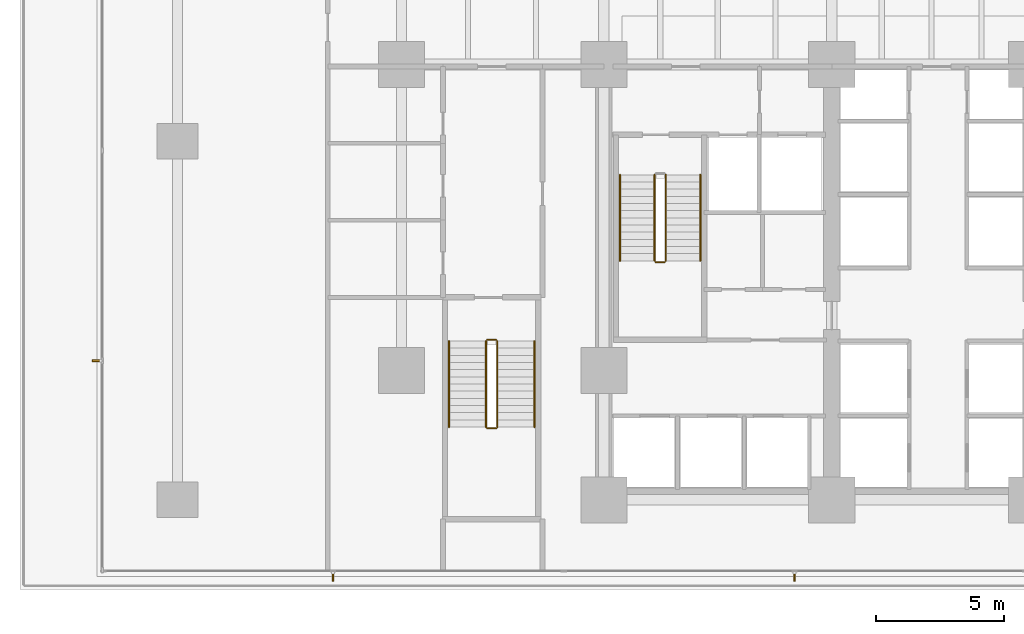
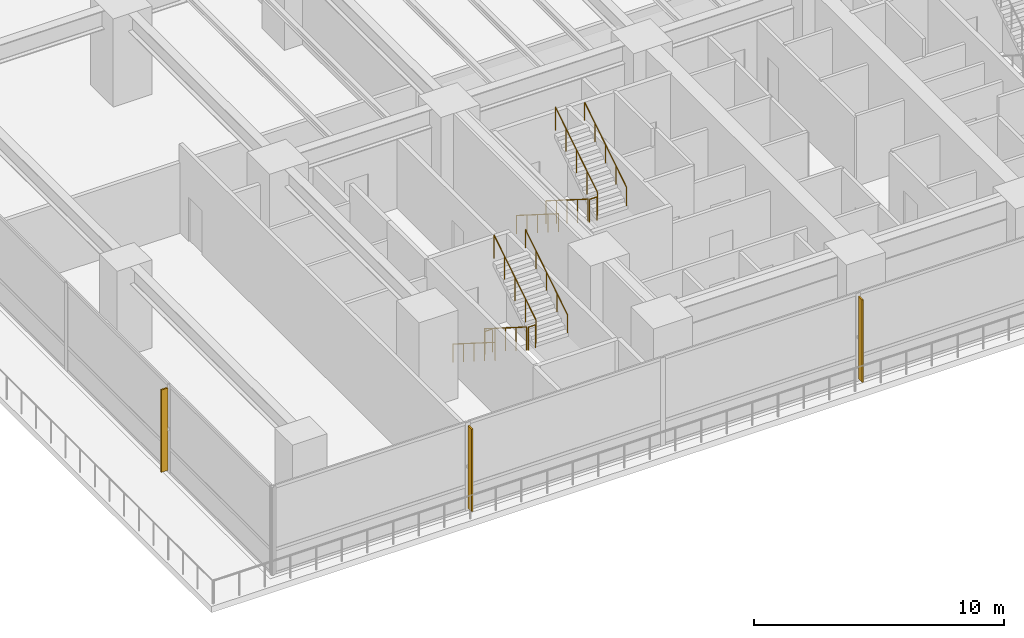
# One storey, part 19 of 28: 11 railings, 3 shading devices.
"""IFC4 building model written with IfcOpenShell, lengths in metres."""

import ifcopenshell
import ifcopenshell.guid

model = None  # the IFC model being written
_history = None  # IfcOwnerHistory: only IFC2X3 demands one
_inside = {}  # id of a spatial element -> (the spatial element, [elements in it])
_under = {}  # id of a project, library or spatial element -> (it, [spatial elements below it])
_declared = {}  # id of a project -> (the project, [libraries it declares])
_typed = {}  # id of a type object -> (the type object, [elements of that type])
_made_of = {}  # id of a material, layer set ... -> (it, [elements and type objects made of it])


def new_model(schema):
    """Start an empty IFC model of exactly this schema.

    Asked for "IFC4X3", IfcOpenShell would pick the latest addendum, in which some entities
    have other attributes; the version numbers below select the first issue.
    IFC2X3 requires an IfcOwnerHistory on every rooted entity: one is made here for all.
    """
    global model, _history
    if schema == "IFC4X3":
        model = ifcopenshell.file(schema_version=(4, 3, 0, 0))
    else:
        model = ifcopenshell.file(schema=schema)
    _inside.clear()
    _under.clear()
    _declared.clear()
    _typed.clear()
    _made_of.clear()
    _history = None
    if model.schema == "IFC2X3":
        org = make("IfcOrganization", Name="unknown")
        user = make(
            "IfcPersonAndOrganization",
            ThePerson=make("IfcPerson", FamilyName="unknown"),
            TheOrganization=org,
        )
        app = make(
            "IfcApplication",
            ApplicationDeveloper=org,
            Version="unknown",
            ApplicationFullName="unknown",
            ApplicationIdentifier="unknown",
        )
        _history = make(
            "IfcOwnerHistory",
            OwningUser=user,
            OwningApplication=app,
            ChangeAction="ADDED",
            CreationDate=0,
        )
    return model


def make(cls, **values):
    """One entity of the class cls with the attributes given. An attribute that is None is left unset."""
    return model.create_entity(
        cls, **{name: value for name, value in values.items() if value is not None}
    )


def rooted(cls, **values):
    """An entity with a GlobalId (a new one), such as an element, a storey or a relation."""
    return make(cls, GlobalId=ifcopenshell.guid.new(), OwnerHistory=_history, **values)


def si_unit(unit_type, name, prefix=None):
    """IfcSIUnit, for example si_unit("LENGTHUNIT", "METRE", prefix="MILLI")."""
    return make("IfcSIUnit", UnitType=unit_type, Prefix=prefix, Name=name)


def assignment(units):
    """IfcUnitAssignment: the units of a project."""
    return None if units is None else make("IfcUnitAssignment", Units=units)


def point(xyz):
    """IfcCartesianPoint."""
    return None if xyz is None else make("IfcCartesianPoint", Coordinates=xyz)


def direction(xyz):
    """IfcDirection."""
    return None if xyz is None else make("IfcDirection", DirectionRatios=xyz)


def frame(location, z_axis=None, x_axis=None):
    """IfcAxis2Placement3D, a coordinate frame: its origin and axes. An axis left out is left unset."""
    return make(
        "IfcAxis2Placement3D",
        Location=point(location),
        Axis=direction(z_axis),
        RefDirection=direction(x_axis),
    )


def frame_2d(location, x_axis=None):
    """IfcAxis2Placement2D, a coordinate frame in the plane: its origin and x axis."""
    return make(
        "IfcAxis2Placement2D", Location=point(location), RefDirection=direction(x_axis)
    )


def origin():
    """The frame at (0, 0, 0) with its axes left unset."""
    return frame((0.0, 0.0, 0.0))


def origin_2d():
    """The frame at (0, 0) in the plane with its x axis left unset."""
    return frame_2d((0.0, 0.0))


def place(relative_to, where):
    """IfcLocalPlacement: puts the frame where relative to a parent placement (None: the world)."""
    return make(
        "IfcLocalPlacement", PlacementRelTo=relative_to, RelativePlacement=where
    )


def context(
    kind, dimensions, precision=None, world=None, true_north=None, identifier=None
):
    """IfcGeometricRepresentationContext, for example the 3D "Model" context."""
    return make(
        "IfcGeometricRepresentationContext",
        ContextIdentifier=identifier,
        ContextType=kind,
        CoordinateSpaceDimension=dimensions,
        Precision=precision,
        WorldCoordinateSystem=world,
        TrueNorth=true_north,
    )


def subcontext(parent, identifier, kind, view, scale=None):
    """IfcGeometricRepresentationSubContext, for example "Body" below "Model"."""
    return make(
        "IfcGeometricRepresentationSubContext",
        ContextIdentifier=identifier,
        ContextType=kind,
        ParentContext=parent,
        TargetScale=scale,
        TargetView=view,
    )


def project(units=None, contexts=None):
    """IfcProject with its units and contexts."""
    return rooted(
        "IfcProject",
        Name="project",
        RepresentationContexts=contexts,
        UnitsInContext=assignment(units),
    )


def spatial(cls, under=None, at=None, **own):
    """A site, building, storey or space (cls), placed at a placement, below another one or the project."""
    s = rooted(cls, ObjectPlacement=at, **own)
    if under is not None:
        _under.setdefault(under.id(), (under, []))[1].append(s)
    return s


def polyline(points):
    """IfcPolyline through the points."""
    return make("IfcPolyline", Points=[point(p) for p in points])


def profile(cls, at=None, kind="AREA", **sizes):
    """A parametric profile (cls). Its sizes go by their IFC names, for example OverallWidth=200.0."""
    return make(cls, ProfileType=kind, Position=at, **sizes)


def circle(**sizes):
    """IfcCircleProfileDef."""
    return profile("IfcCircleProfileDef", **sizes)


def outline(outer, holes=None, kind="AREA"):
    """IfcArbitraryClosedProfileDef: a profile drawn as a closed curve; with holes, ...WithVoids."""
    if holes is None:
        return make("IfcArbitraryClosedProfileDef", ProfileType=kind, OuterCurve=outer)
    return make(
        "IfcArbitraryProfileDefWithVoids",
        ProfileType=kind,
        OuterCurve=outer,
        InnerCurves=holes,
    )


def extrude(swept, where, along, depth):
    """IfcExtrudedAreaSolid: the profile swept, set in the frame where, extruded along a direction by depth."""
    return make(
        "IfcExtrudedAreaSolid",
        SweptArea=swept,
        Position=where,
        ExtrudedDirection=direction(along),
        Depth=depth,
    )


def shape(context_of_items, identifier, shape_type, items):
    """IfcShapeRepresentation: the items that make up one representation, for example the "Body"."""
    return make(
        "IfcShapeRepresentation",
        ContextOfItems=context_of_items,
        RepresentationIdentifier=identifier,
        RepresentationType=shape_type,
        Items=items,
    )


def material(Name=None, Category=None):
    """IfcMaterial."""
    return make("IfcMaterial", Name=Name, Category=Category)


def layer(
    of_material, thickness, ventilated=None, Name=None, Category=None, Priority=None
):
    """IfcMaterialLayer: one layer of a wall or slab, of a material (None: an air gap)."""
    return make(
        "IfcMaterialLayer",
        Material=of_material,
        LayerThickness=thickness,
        IsVentilated=ventilated,
        Name=Name,
        Category=Category,
        Priority=Priority,
    )


def layer_set(layers, Name=None):
    """IfcMaterialLayerSet."""
    return make("IfcMaterialLayerSet", MaterialLayers=layers, LayerSetName=Name)


def made_of(thing, what):
    """Note that an element or type object is made of a material, layer set ...; save() writes the relation."""
    if what is not None:
        _made_of.setdefault(what.id(), (what, []))[1].append(thing)
    return thing


def type_object(cls, material=None, **own):
    """A type object (cls), such as IfcWallType, which elements share."""
    return made_of(rooted(cls, **own), material)


def element(
    cls,
    number,
    at=None,
    inside=None,
    cuts=None,
    type_object=None,
    material=None,
    context=None,
    identifier="Body",
    shape_type=None,
    held_by="IfcProductDefinitionShape",
    body=None,
    shapes=None,
    **own,
):
    """One element of the class cls, such as IfcWall. Its Tag is "e" and its number.

    at: its placement. inside: the storey or other place that contains it. cuts: it is an
    opening in that element (IfcRelVoidsElement). A single representation is given by context,
    identifier, shape_type and body (its items); several are given by shapes. held_by: the class
    of the entity that holds the representations. save() writes the other relations.
    """
    e = rooted(cls, Tag="e%d" % number, ObjectPlacement=at, **own)
    if body is not None:
        shapes = [shape(context, identifier, shape_type, body)]
    if shapes is not None:
        e.Representation = make(held_by, Representations=shapes)
    if inside is not None:
        _inside.setdefault(inside.id(), (inside, []))[1].append(e)
    if cuts is not None:
        rooted(
            "IfcRelVoidsElement", RelatingBuildingElement=cuts, RelatedOpeningElement=e
        )
    if type_object is not None:
        _typed.setdefault(type_object.id(), (type_object, []))[1].append(e)
    return made_of(e, material)


def aggregate(whole, parts):
    """IfcRelAggregates: a whole, such as a stair, and the parts it consists of."""
    return rooted("IfcRelAggregates", RelatingObject=whole, RelatedObjects=parts)


def save(model, path):
    """Write the relations noted so far, then the file.

    IfcRelAggregates (storeys below a building ...), IfcRelContainedInSpatialStructure (elements
    in a storey), IfcRelDefinesByType, IfcRelAssociatesMaterial and IfcRelDeclares: one each for
    every whole, place, type object, material and project.
    """
    for whole, parts in _under.values():
        aggregate(whole, parts)
    for where, things in _inside.values():
        rooted(
            "IfcRelContainedInSpatialStructure",
            RelatedElements=things,
            RelatingStructure=where,
        )
    for kind, things in _typed.values():
        rooted("IfcRelDefinesByType", RelatedObjects=things, RelatingType=kind)
    for what, things in _made_of.values():
        rooted("IfcRelAssociatesMaterial", RelatedObjects=things, RelatingMaterial=what)
    for by, libraries in _declared.values():
        rooted("IfcRelDeclares", RelatingContext=by, RelatedDefinitions=libraries)
    model.write(path)


model = new_model("IFC4")

# Units and contexts
model_context = context("Model", 3, precision=1e-05, world=origin(), true_north=direction((0.0, 1.0)))
body_context = subcontext(model_context, "Body", "Model", "MODEL_VIEW")
ifc_project = project(units=[si_unit("LENGTHUNIT", "METRE"), si_unit("AREAUNIT", "SQUARE_METRE"), si_unit("VOLUMEUNIT", "CUBIC_METRE"), si_unit("PLANEANGLEUNIT", "RADIAN"), si_unit("MASSUNIT", "GRAM", prefix="KILO")], contexts=[model_context])

# Site, building, storey
site_placement = place(None, origin())
site = spatial("IfcSite", under=ifc_project, at=site_placement, CompositionType="ELEMENT")
building_placement = place(site_placement, origin())
building = spatial("IfcBuilding", under=site, at=building_placement, Name="Qalmaran Belvedere Hotel", CompositionType="ELEMENT")
storey_placement = place(building_placement, frame((0.0, 0.0, 10.0)))
storey = spatial("IfcBuildingStorey", under=building, at=storey_placement, Name="L02", CompositionType="ELEMENT", Elevation=10.0)

# Shading devices
ifc_material_1 = material(Name="Anodised Bronze Aluminium", Category="aluminium")
ifc_layer = layer(ifc_material_1, 0.06494140625, Name="Anodised Bronze Aluminium")
ifc_layer_set = layer_set([ifc_layer], Name="Anodised Bronze Aluminium")
shading_device_type = type_object("IfcShadingDeviceType", Name="FIN-BRNZ-300", PredefinedType="USERDEFINED", material=ifc_layer_set)
shading_device_1_placement = place(storey_placement, frame((0.0, 0.0, 0.159912109375)))
element("IfcShadingDevice", 1, at=shading_device_1_placement, inside=storey, type_object=shading_device_type, Name="L02 Bronze Fin 1", ObjectType="FIN", PredefinedType="USERDEFINED", context=body_context, shape_type="SweptSolid", body=[
    extrude(outline(polyline([(9.695068359375, 0.62744140625), (9.695068359375, 0.327392578125), (9.760009765625, 0.327392578125), (9.760009765625, 0.62744140625), (9.695068359375, 0.62744140625)])), origin(), (0.0, 0.0, 1.0), 4.02001953125),
])
shading_device_2_placement = place(storey_placement, frame((0.0, 0.0, 0.159912109375)))
element("IfcShadingDevice", 2, at=shading_device_2_placement, inside=storey, type_object=shading_device_type, Name="L02 Bronze Fin 3", ObjectType="FIN", PredefinedType="USERDEFINED", context=body_context, shape_type="SweptSolid", body=[
    extrude(outline(polyline([(27.7099609375, 0.62744140625), (27.7099609375, 0.327392578125), (27.77490234375, 0.327392578125), (27.77490234375, 0.62744140625), (27.7099609375, 0.62744140625)])), origin(), (0.0, 0.0, 1.0), 4.02001953125),
])
shading_device_3_placement = place(storey_placement, frame((0.0, 0.0, 0.159912109375)))
element("IfcShadingDevice", 3, at=shading_device_3_placement, inside=storey, type_object=shading_device_type, Name="L02 Bronze Fin 5", ObjectType="FIN", PredefinedType="USERDEFINED", context=body_context, shape_type="SweptSolid", body=[
    extrude(outline(polyline([(0.62744140625, 8.96240234375), (0.327392578125, 8.96240234375), (0.327392578125, 8.8974609375), (0.62744140625, 8.8974609375), (0.62744140625, 8.96240234375)])), origin(), (0.0, 0.0, 1.0), 4.02001953125),
])

# Railings
ifc_material_2 = material(Name="Stainless Steel 1.4401", Category="steel")
railing_type_1 = type_object("IfcRailingType", Name="RLG-STAIR-GUARD-1150", PredefinedType="GUARDRAIL", material=ifc_material_2)
railing_1_placement = place(storey_placement, frame((22.280029296875, 16.18994140625, 0.177001953125)))
element("IfcRailing", 4, at=railing_1_placement, inside=storey, type_object=railing_type_1, Name="L02 ST-1 stair guard 1", PredefinedType="GUARDRAIL", context=body_context, shape_type="SweptSolid", body=[
    extrude(circle(Radius=0.02392578125, at=origin_2d()), frame((0.0, 0.0, 1.1259765625), z_axis=(0.0, -0.845372108799, 0.534177870812), x_axis=(1.0, 0.0, 0.0)), (0.0, 0.0, 1.0), 3.974365234375),
    extrude(circle(Radius=0.02099609375, at=origin_2d()), origin(), (0.0, 0.0, 1.0), 1.101806640625),
    extrude(circle(Radius=0.02099609375, at=origin_2d()), frame((0.0, -0.83984375, 0.53076171875)), (0.0, 0.0, 1.0), 1.101806640625),
    extrude(circle(Radius=0.02099609375, at=origin_2d()), frame((0.0, -1.679931640625, 1.0615234375)), (0.0, 0.0, 1.0), 1.101806640625),
    extrude(circle(Radius=0.02099609375, at=origin_2d()), frame((0.0, -2.52001953125, 1.59228515625)), (0.0, 0.0, 1.0), 1.101806640625),
    extrude(circle(Radius=0.02099609375, at=origin_2d()), frame((0.0, -3.35986328125, 2.123046875)), (0.0, 0.0, 1.0), 1.101806640625),
])
railing_2_placement = place(storey_placement, frame((22.330078125, 12.780029296875, 2.300048828125)))
element("IfcRailing", 5, at=railing_2_placement, inside=storey, type_object=railing_type_1, Name="L02 ST-1 stair guard 2", PredefinedType="GUARDRAIL", context=body_context, shape_type="SweptSolid", body=[
    extrude(circle(Radius=0.02392578125, at=origin_2d()), frame((0.0, 0.0, 1.1259765625), z_axis=(1.0, 0.0, 0.0), x_axis=(0.0, 1.0, 0.0)), (0.0, 0.0, 1.0), 0.33984375),
    extrude(circle(Radius=0.02099609375, at=origin_2d()), origin(), (0.0, 0.0, 1.0), 1.101806640625),
    extrude(circle(Radius=0.02099609375, at=origin_2d()), frame((0.33984375, 0.0, 0.0)), (0.0, 0.0, 1.0), 1.101806640625),
])
railing_3_placement = place(storey_placement, frame((22.719970703125, 12.830078125, 2.476806640625)))
element("IfcRailing", 6, at=railing_3_placement, inside=storey, type_object=railing_type_1, Name="L02 ST-1 stair guard 3", PredefinedType="GUARDRAIL", context=body_context, shape_type="SweptSolid", body=[
    extrude(circle(Radius=0.02392578125, at=origin_2d()), frame((0.0, 0.0, 1.1259765625), z_axis=(0.0, 0.845344368971, 0.534221768416), x_axis=(-1.0, 0.0, 0.0)), (0.0, 0.0, 1.0), 3.974609375),
    extrude(circle(Radius=0.02099609375, at=origin_2d()), origin(), (0.0, 0.0, 1.0), 1.101806640625),
    extrude(circle(Radius=0.02099609375, at=origin_2d()), frame((0.0, 0.83984375, 0.53076171875)), (0.0, 0.0, 1.0), 1.101806640625),
    extrude(circle(Radius=0.02099609375, at=origin_2d()), frame((0.0, 1.679931640625, 1.0615234375)), (0.0, 0.0, 1.0), 1.101806640625),
    extrude(circle(Radius=0.02099609375, at=origin_2d()), frame((0.0, 2.52001953125, 1.592529296875)), (0.0, 0.0, 1.0), 1.101806640625),
    extrude(circle(Radius=0.02099609375, at=origin_2d()), frame((0.0, 3.35986328125, 2.123291015625)), (0.0, 0.0, 1.0), 1.101806640625),
])
railing_4_placement = place(storey_placement, frame((15.699951171875, 9.699951171875, 0.177001953125)))
element("IfcRailing", 7, at=railing_4_placement, inside=storey, type_object=railing_type_1, Name="L02 ST-P1 stair guard 1", PredefinedType="GUARDRAIL", context=body_context, shape_type="SweptSolid", body=[
    extrude(circle(Radius=0.02392578125, at=origin_2d()), frame((0.0, 0.0, 1.1259765625), z_axis=(0.0, -0.845372108799, 0.534177870812), x_axis=(1.0, 0.0, 0.0)), (0.0, 0.0, 1.0), 3.974365234375),
    extrude(circle(Radius=0.02099609375, at=origin_2d()), origin(), (0.0, 0.0, 1.0), 1.101806640625),
    extrude(circle(Radius=0.02099609375, at=origin_2d()), frame((0.0, -0.83984375, 0.53076171875)), (0.0, 0.0, 1.0), 1.101806640625),
    extrude(circle(Radius=0.02099609375, at=origin_2d()), frame((0.0, -1.679931640625, 1.0615234375)), (0.0, 0.0, 1.0), 1.101806640625),
    extrude(circle(Radius=0.02099609375, at=origin_2d()), frame((0.0, -2.52001953125, 1.59228515625)), (0.0, 0.0, 1.0), 1.101806640625),
    extrude(circle(Radius=0.02099609375, at=origin_2d()), frame((0.0, -3.35986328125, 2.123046875)), (0.0, 0.0, 1.0), 1.101806640625),
])
railing_5_placement = place(storey_placement, frame((15.75, 6.2900390625, 2.300048828125)))
element("IfcRailing", 8, at=railing_5_placement, inside=storey, type_object=railing_type_1, Name="L02 ST-P1 stair guard 2", PredefinedType="GUARDRAIL", context=body_context, shape_type="SweptSolid", body=[
    extrude(circle(Radius=0.02392578125, at=origin_2d()), frame((0.0, 0.0, 1.1259765625), z_axis=(1.0, 0.0, 0.0), x_axis=(0.0, 1.0, 0.0)), (0.0, 0.0, 1.0), 0.340087890625),
    extrude(circle(Radius=0.02099609375, at=origin_2d()), origin(), (0.0, 0.0, 1.0), 1.101806640625),
    extrude(circle(Radius=0.02099609375, at=origin_2d()), frame((0.340087890625, 0.0, 0.0)), (0.0, 0.0, 1.0), 1.101806640625),
])
railing_6_placement = place(storey_placement, frame((16.139892578125, 6.340087890625, 2.476806640625)))
element("IfcRailing", 9, at=railing_6_placement, inside=storey, type_object=railing_type_1, Name="L02 ST-P1 stair guard 3", PredefinedType="GUARDRAIL", context=body_context, shape_type="SweptSolid", body=[
    extrude(circle(Radius=0.02392578125, at=origin_2d()), frame((0.0, 0.0, 1.1259765625), z_axis=(0.0, 0.845344368971, 0.534221768416), x_axis=(-1.0, 0.0, 0.0)), (0.0, 0.0, 1.0), 3.974609375),
    extrude(circle(Radius=0.02099609375, at=origin_2d()), origin(), (0.0, 0.0, 1.0), 1.101806640625),
    extrude(circle(Radius=0.02099609375, at=origin_2d()), frame((0.0, 0.83984375, 0.53076171875)), (0.0, 0.0, 1.0), 1.101806640625),
    extrude(circle(Radius=0.02099609375, at=origin_2d()), frame((0.0, 1.679931640625, 1.0615234375)), (0.0, 0.0, 1.0), 1.101806640625),
    extrude(circle(Radius=0.02099609375, at=origin_2d()), frame((0.0, 2.52001953125, 1.592529296875)), (0.0, 0.0, 1.0), 1.101806640625),
    extrude(circle(Radius=0.02099609375, at=origin_2d()), frame((0.0, 3.35986328125, 2.123291015625)), (0.0, 0.0, 1.0), 1.101806640625),
])
railing_7_placement = place(storey_placement, frame((15.75, 9.75, 0.0)))
element("IfcRailing", 10, at=railing_7_placement, inside=storey, type_object=railing_type_1, Name="L02 ST-P1 stair guard 4", PredefinedType="GUARDRAIL", context=body_context, shape_type="SweptSolid", body=[
    extrude(circle(Radius=0.02392578125, at=origin_2d()), frame((0.0, 0.0, 1.1259765625), z_axis=(1.0, 0.0, 0.0), x_axis=(0.0, 1.0, 0.0)), (0.0, 0.0, 1.0), 0.340087890625),
    extrude(circle(Radius=0.02099609375, at=origin_2d()), origin(), (0.0, 0.0, 1.0), 1.101806640625),
    extrude(circle(Radius=0.02099609375, at=origin_2d()), frame((0.340087890625, 0.0, 0.0)), (0.0, 0.0, 1.0), 1.101806640625),
])
railing_type_2 = type_object("IfcRailingType", Name="RLG-STAIR-HAND-910", PredefinedType="HANDRAIL", material=ifc_material_2)
railing_8_placement = place(storey_placement, frame((20.929931640625, 16.18994140625, 0.177001953125)))
element("IfcRailing", 11, at=railing_8_placement, inside=storey, type_object=railing_type_2, Name="L02 ST-1 stair handrail 1", PredefinedType="HANDRAIL", context=body_context, shape_type="SweptSolid", body=[
    extrude(circle(Radius=0.02392578125, at=origin_2d()), frame((0.0, 0.0, 0.8857421875), z_axis=(0.0, -0.845372108799, 0.534177870812), x_axis=(1.0, 0.0, 0.0)), (0.0, 0.0, 1.0), 3.974365234375),
    extrude(circle(Radius=0.02099609375, at=origin_2d()), origin(), (0.0, 0.0, 1.0), 0.86181640625),
    extrude(circle(Radius=0.02099609375, at=origin_2d()), frame((0.0, -0.83984375, 0.53076171875)), (0.0, 0.0, 1.0), 0.86181640625),
    extrude(circle(Radius=0.02099609375, at=origin_2d()), frame((0.0, -1.679931640625, 1.0615234375)), (0.0, 0.0, 1.0), 0.86181640625),
    extrude(circle(Radius=0.02099609375, at=origin_2d()), frame((0.0, -2.52001953125, 1.59228515625)), (0.0, 0.0, 1.0), 0.86181640625),
    extrude(circle(Radius=0.02099609375, at=origin_2d()), frame((0.0, -3.35986328125, 2.123046875)), (0.0, 0.0, 1.0), 0.86181640625),
])
railing_9_placement = place(storey_placement, frame((24.070068359375, 12.830078125, 2.476806640625)))
element("IfcRailing", 12, at=railing_9_placement, inside=storey, type_object=railing_type_2, Name="L02 ST-1 stair handrail 2", PredefinedType="HANDRAIL", context=body_context, shape_type="SweptSolid", body=[
    extrude(circle(Radius=0.02392578125, at=origin_2d()), frame((0.0, 0.0, 0.8857421875), z_axis=(0.0, 0.845344368971, 0.534221768416), x_axis=(-1.0, 0.0, 0.0)), (0.0, 0.0, 1.0), 3.974609375),
    extrude(circle(Radius=0.02099609375, at=origin_2d()), origin(), (0.0, 0.0, 1.0), 0.86181640625),
    extrude(circle(Radius=0.02099609375, at=origin_2d()), frame((0.0, 0.83984375, 0.53076171875)), (0.0, 0.0, 1.0), 0.86181640625),
    extrude(circle(Radius=0.02099609375, at=origin_2d()), frame((0.0, 1.679931640625, 1.0615234375)), (0.0, 0.0, 1.0), 0.86181640625),
    extrude(circle(Radius=0.02099609375, at=origin_2d()), frame((0.0, 2.52001953125, 1.592529296875)), (0.0, 0.0, 1.0), 0.86181640625),
    extrude(circle(Radius=0.02099609375, at=origin_2d()), frame((0.0, 3.35986328125, 2.123291015625)), (0.0, 0.0, 1.0), 0.86181640625),
])
railing_10_placement = place(storey_placement, frame((14.25, 9.699951171875, 0.177001953125)))
element("IfcRailing", 13, at=railing_10_placement, inside=storey, type_object=railing_type_2, Name="L02 ST-P1 stair handrail 1", PredefinedType="HANDRAIL", context=body_context, shape_type="SweptSolid", body=[
    extrude(circle(Radius=0.02392578125, at=origin_2d()), frame((0.0, 0.0, 0.8857421875), z_axis=(0.0, -0.845372108799, 0.534177870812), x_axis=(1.0, 0.0, 0.0)), (0.0, 0.0, 1.0), 3.974365234375),
    extrude(circle(Radius=0.02099609375, at=origin_2d()), origin(), (0.0, 0.0, 1.0), 0.86181640625),
    extrude(circle(Radius=0.02099609375, at=origin_2d()), frame((0.0, -0.83984375, 0.53076171875)), (0.0, 0.0, 1.0), 0.86181640625),
    extrude(circle(Radius=0.02099609375, at=origin_2d()), frame((0.0, -1.679931640625, 1.0615234375)), (0.0, 0.0, 1.0), 0.86181640625),
    extrude(circle(Radius=0.02099609375, at=origin_2d()), frame((0.0, -2.52001953125, 1.59228515625)), (0.0, 0.0, 1.0), 0.86181640625),
    extrude(circle(Radius=0.02099609375, at=origin_2d()), frame((0.0, -3.35986328125, 2.123046875)), (0.0, 0.0, 1.0), 0.86181640625),
])
railing_11_placement = place(storey_placement, frame((17.590087890625, 6.340087890625, 2.476806640625)))
element("IfcRailing", 14, at=railing_11_placement, inside=storey, type_object=railing_type_2, Name="L02 ST-P1 stair handrail 2", PredefinedType="HANDRAIL", context=body_context, shape_type="SweptSolid", body=[
    extrude(circle(Radius=0.02392578125, at=origin_2d()), frame((0.0, 0.0, 0.8857421875), z_axis=(0.0, 0.845344368971, 0.534221768416), x_axis=(-1.0, 0.0, 0.0)), (0.0, 0.0, 1.0), 3.974609375),
    extrude(circle(Radius=0.02099609375, at=origin_2d()), origin(), (0.0, 0.0, 1.0), 0.86181640625),
    extrude(circle(Radius=0.02099609375, at=origin_2d()), frame((0.0, 0.83984375, 0.53076171875)), (0.0, 0.0, 1.0), 0.86181640625),
    extrude(circle(Radius=0.02099609375, at=origin_2d()), frame((0.0, 1.679931640625, 1.0615234375)), (0.0, 0.0, 1.0), 0.86181640625),
    extrude(circle(Radius=0.02099609375, at=origin_2d()), frame((0.0, 2.52001953125, 1.592529296875)), (0.0, 0.0, 1.0), 0.86181640625),
    extrude(circle(Radius=0.02099609375, at=origin_2d()), frame((0.0, 3.35986328125, 2.123291015625)), (0.0, 0.0, 1.0), 0.86181640625),
])

save(model, "model.ifc")
